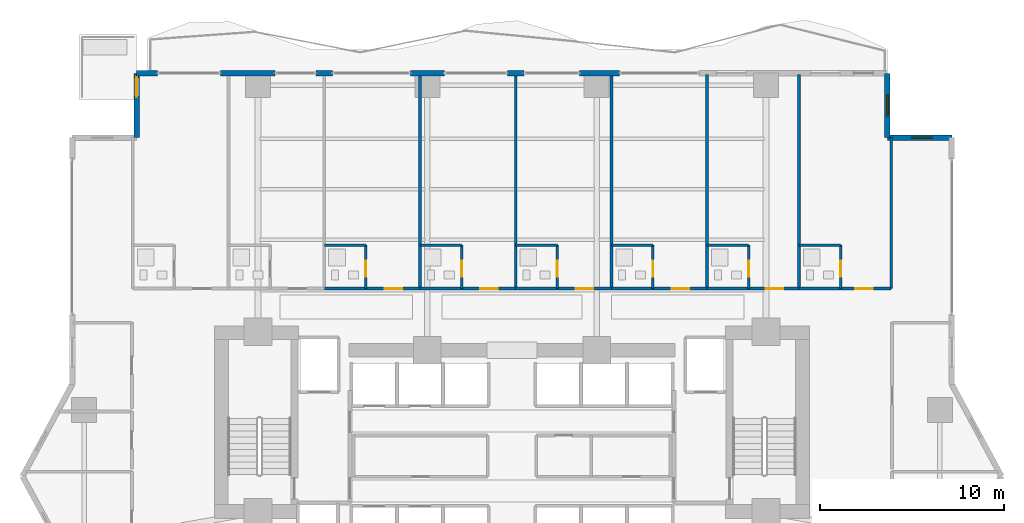
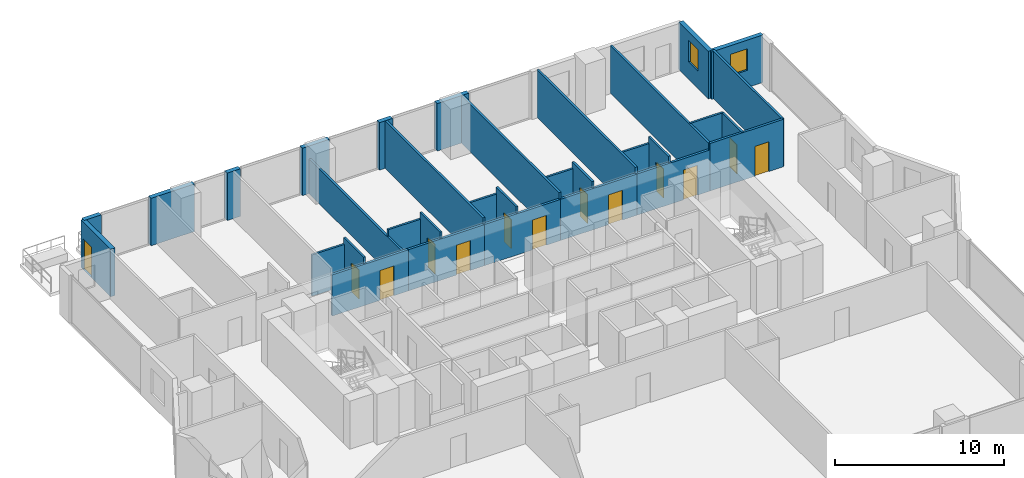
# One storey, part 24 of 29: 33 walls, 13 doors, 2 windows, 15 openings.
"""IFC4 building model written with IfcOpenShell, lengths in metres."""

import ifcopenshell
import ifcopenshell.guid

model = None  # the IFC model being written
_history = None  # IfcOwnerHistory: only IFC2X3 demands one
_inside = {}  # id of a spatial element -> (the spatial element, [elements in it])
_under = {}  # id of a project, library or spatial element -> (it, [spatial elements below it])
_declared = {}  # id of a project -> (the project, [libraries it declares])
_typed = {}  # id of a type object -> (the type object, [elements of that type])
_made_of = {}  # id of a material, layer set ... -> (it, [elements and type objects made of it])


def new_model(schema):
    """Start an empty IFC model of exactly this schema.

    Asked for "IFC4X3", IfcOpenShell would pick the latest addendum, in which some entities
    have other attributes; the version numbers below select the first issue.
    IFC2X3 requires an IfcOwnerHistory on every rooted entity: one is made here for all.
    """
    global model, _history
    if schema == "IFC4X3":
        model = ifcopenshell.file(schema_version=(4, 3, 0, 0))
    else:
        model = ifcopenshell.file(schema=schema)
    _inside.clear()
    _under.clear()
    _declared.clear()
    _typed.clear()
    _made_of.clear()
    _history = None
    if model.schema == "IFC2X3":
        org = make("IfcOrganization", Name="unknown")
        user = make(
            "IfcPersonAndOrganization",
            ThePerson=make("IfcPerson", FamilyName="unknown"),
            TheOrganization=org,
        )
        app = make(
            "IfcApplication",
            ApplicationDeveloper=org,
            Version="unknown",
            ApplicationFullName="unknown",
            ApplicationIdentifier="unknown",
        )
        _history = make(
            "IfcOwnerHistory",
            OwningUser=user,
            OwningApplication=app,
            ChangeAction="ADDED",
            CreationDate=0,
        )
    return model


def make(cls, **values):
    """One entity of the class cls with the attributes given. An attribute that is None is left unset."""
    return model.create_entity(
        cls, **{name: value for name, value in values.items() if value is not None}
    )


def rooted(cls, **values):
    """An entity with a GlobalId (a new one), such as an element, a storey or a relation."""
    return make(cls, GlobalId=ifcopenshell.guid.new(), OwnerHistory=_history, **values)


def si_unit(unit_type, name, prefix=None):
    """IfcSIUnit, for example si_unit("LENGTHUNIT", "METRE", prefix="MILLI")."""
    return make("IfcSIUnit", UnitType=unit_type, Prefix=prefix, Name=name)


def assignment(units):
    """IfcUnitAssignment: the units of a project."""
    return None if units is None else make("IfcUnitAssignment", Units=units)


def point(xyz):
    """IfcCartesianPoint."""
    return None if xyz is None else make("IfcCartesianPoint", Coordinates=xyz)


def direction(xyz):
    """IfcDirection."""
    return None if xyz is None else make("IfcDirection", DirectionRatios=xyz)


def frame(location, z_axis=None, x_axis=None):
    """IfcAxis2Placement3D, a coordinate frame: its origin and axes. An axis left out is left unset."""
    return make(
        "IfcAxis2Placement3D",
        Location=point(location),
        Axis=direction(z_axis),
        RefDirection=direction(x_axis),
    )


def frame_2d(location, x_axis=None):
    """IfcAxis2Placement2D, a coordinate frame in the plane: its origin and x axis."""
    return make(
        "IfcAxis2Placement2D", Location=point(location), RefDirection=direction(x_axis)
    )


def origin():
    """The frame at (0, 0, 0) with its axes left unset."""
    return frame((0.0, 0.0, 0.0))


def place(relative_to, where):
    """IfcLocalPlacement: puts the frame where relative to a parent placement (None: the world)."""
    return make(
        "IfcLocalPlacement", PlacementRelTo=relative_to, RelativePlacement=where
    )


def context(
    kind, dimensions, precision=None, world=None, true_north=None, identifier=None
):
    """IfcGeometricRepresentationContext, for example the 3D "Model" context."""
    return make(
        "IfcGeometricRepresentationContext",
        ContextIdentifier=identifier,
        ContextType=kind,
        CoordinateSpaceDimension=dimensions,
        Precision=precision,
        WorldCoordinateSystem=world,
        TrueNorth=true_north,
    )


def subcontext(parent, identifier, kind, view, scale=None):
    """IfcGeometricRepresentationSubContext, for example "Body" below "Model"."""
    return make(
        "IfcGeometricRepresentationSubContext",
        ContextIdentifier=identifier,
        ContextType=kind,
        ParentContext=parent,
        TargetScale=scale,
        TargetView=view,
    )


def project(units=None, contexts=None):
    """IfcProject with its units and contexts."""
    return rooted(
        "IfcProject",
        Name="project",
        RepresentationContexts=contexts,
        UnitsInContext=assignment(units),
    )


def spatial(cls, under=None, at=None, **own):
    """A site, building, storey or space (cls), placed at a placement, below another one or the project."""
    s = rooted(cls, ObjectPlacement=at, **own)
    if under is not None:
        _under.setdefault(under.id(), (under, []))[1].append(s)
    return s


def profile(cls, at=None, kind="AREA", **sizes):
    """A parametric profile (cls). Its sizes go by their IFC names, for example OverallWidth=200.0."""
    return make(cls, ProfileType=kind, Position=at, **sizes)


def rectangle(**sizes):
    """IfcRectangleProfileDef."""
    return profile("IfcRectangleProfileDef", **sizes)


def extrude(swept, where, along, depth):
    """IfcExtrudedAreaSolid: the profile swept, set in the frame where, extruded along a direction by depth."""
    return make(
        "IfcExtrudedAreaSolid",
        SweptArea=swept,
        Position=where,
        ExtrudedDirection=direction(along),
        Depth=depth,
    )


def shape(context_of_items, identifier, shape_type, items):
    """IfcShapeRepresentation: the items that make up one representation, for example the "Body"."""
    return make(
        "IfcShapeRepresentation",
        ContextOfItems=context_of_items,
        RepresentationIdentifier=identifier,
        RepresentationType=shape_type,
        Items=items,
    )


def material(Name=None, Category=None):
    """IfcMaterial."""
    return make("IfcMaterial", Name=Name, Category=Category)


def layer(
    of_material, thickness, ventilated=None, Name=None, Category=None, Priority=None
):
    """IfcMaterialLayer: one layer of a wall or slab, of a material (None: an air gap)."""
    return make(
        "IfcMaterialLayer",
        Material=of_material,
        LayerThickness=thickness,
        IsVentilated=ventilated,
        Name=Name,
        Category=Category,
        Priority=Priority,
    )


def layer_set(layers, Name=None):
    """IfcMaterialLayerSet."""
    return make("IfcMaterialLayerSet", MaterialLayers=layers, LayerSetName=Name)


def made_of(thing, what):
    """Note that an element or type object is made of a material, layer set ...; save() writes the relation."""
    if what is not None:
        _made_of.setdefault(what.id(), (what, []))[1].append(thing)
    return thing


def type_object(cls, material=None, **own):
    """A type object (cls), such as IfcWallType, which elements share."""
    return made_of(rooted(cls, **own), material)


def element(
    cls,
    number,
    at=None,
    inside=None,
    cuts=None,
    type_object=None,
    material=None,
    context=None,
    identifier="Body",
    shape_type=None,
    held_by="IfcProductDefinitionShape",
    body=None,
    shapes=None,
    **own,
):
    """One element of the class cls, such as IfcWall. Its Tag is "e" and its number.

    at: its placement. inside: the storey or other place that contains it. cuts: it is an
    opening in that element (IfcRelVoidsElement). A single representation is given by context,
    identifier, shape_type and body (its items); several are given by shapes. held_by: the class
    of the entity that holds the representations. save() writes the other relations.
    """
    e = rooted(cls, Tag="e%d" % number, ObjectPlacement=at, **own)
    if body is not None:
        shapes = [shape(context, identifier, shape_type, body)]
    if shapes is not None:
        e.Representation = make(held_by, Representations=shapes)
    if inside is not None:
        _inside.setdefault(inside.id(), (inside, []))[1].append(e)
    if cuts is not None:
        rooted(
            "IfcRelVoidsElement", RelatingBuildingElement=cuts, RelatedOpeningElement=e
        )
    if type_object is not None:
        _typed.setdefault(type_object.id(), (type_object, []))[1].append(e)
    return made_of(e, material)


def fill(opening, filler):
    """IfcRelFillsElement: the door or window that sits in an opening."""
    return rooted(
        "IfcRelFillsElement",
        RelatingOpeningElement=opening,
        RelatedBuildingElement=filler,
    )


def aggregate(whole, parts):
    """IfcRelAggregates: a whole, such as a stair, and the parts it consists of."""
    return rooted("IfcRelAggregates", RelatingObject=whole, RelatedObjects=parts)


def save(model, path):
    """Write the relations noted so far, then the file.

    IfcRelAggregates (storeys below a building ...), IfcRelContainedInSpatialStructure (elements
    in a storey), IfcRelDefinesByType, IfcRelAssociatesMaterial and IfcRelDeclares: one each for
    every whole, place, type object, material and project.
    """
    for whole, parts in _under.values():
        aggregate(whole, parts)
    for where, things in _inside.values():
        rooted(
            "IfcRelContainedInSpatialStructure",
            RelatedElements=things,
            RelatingStructure=where,
        )
    for kind, things in _typed.values():
        rooted("IfcRelDefinesByType", RelatedObjects=things, RelatingType=kind)
    for what, things in _made_of.values():
        rooted("IfcRelAssociatesMaterial", RelatedObjects=things, RelatingMaterial=what)
    for by, libraries in _declared.values():
        rooted("IfcRelDeclares", RelatingContext=by, RelatedDefinitions=libraries)
    model.write(path)


model = new_model("IFC4")

# Units and contexts
model_context = context("Model", 3, precision=1e-05, world=origin(), true_north=direction((0.0, 1.0)))
body_context = subcontext(model_context, "Body", "Model", "MODEL_VIEW")
ifc_project = project(units=[si_unit("LENGTHUNIT", "METRE"), si_unit("AREAUNIT", "SQUARE_METRE"), si_unit("VOLUMEUNIT", "CUBIC_METRE"), si_unit("PLANEANGLEUNIT", "RADIAN"), si_unit("MASSUNIT", "GRAM", prefix="KILO")], contexts=[model_context])

# Site, building, storey
site_placement = place(None, origin())
site = spatial("IfcSite", under=ifc_project, at=site_placement, CompositionType="ELEMENT")
building_placement = place(site_placement, origin())
building = spatial("IfcBuilding", under=site, at=building_placement, Name="Zuhayl Quay Hotel", CompositionType="ELEMENT")
storey_placement = place(building_placement, frame((0.0, 0.0, 106.60009765625)))
storey = spatial("IfcBuildingStorey", under=building, at=storey_placement, Name="L26", CompositionType="ELEMENT", Elevation=106.60009765625)

# Wall, opening, door
ifc_material_1 = material(Name="Precast concrete C45/55", Category="concrete")
ifc_layer_1 = layer(ifc_material_1, 0.300048828125, Name="Precast concrete C45/55", Category="concrete")
ifc_layer_set_1 = layer_set([ifc_layer_1], Name="Precast concrete C45/55")
wall_type_1 = type_object("IfcWallType", Name="WL_EXT_300", PredefinedType="STANDARD", material=ifc_layer_set_1)
wall_1_placement = place(storey_placement, frame((-20.39990234375, 24.89990234375, 0.0), z_axis=(0.0, 0.0, 1.0), x_axis=(0.0, 1.0, 0.0)))
wall_1 = element("IfcWall", 1, at=wall_1_placement, inside=storey, type_object=wall_type_1, Name="L26 Exterior Precast Wall ENV_L26_SP_NW", PredefinedType="STANDARD", context=body_context, shape_type="SweptSolid", body=[
    extrude(rectangle(XDim=3.5, YDim=0.300048828125, at=frame_2d((1.75, 0.0))), origin(), (0.0, 0.0, 1.0), 3.429931640625),
])
opening_1_placement = place(wall_1_placement, frame((2.22998046875, 0.0, 0.0)))
opening_1 = element("IfcOpeningElement", 2, at=opening_1_placement, cuts=wall_1, Name="Opening DG1", PredefinedType="OPENING", context=body_context, shape_type="SweptSolid", body=[
    extrude(rectangle(XDim=1.050048828125, YDim=2.199951171875, at=frame_2d((0.52490234375, 1.10009765625))), frame((0.0, 0.159912109375, 0.0), z_axis=(0.0, -1.0, 0.0), x_axis=(1.0, 0.0, 0.0)), (0.0, 0.0, 1.0), 0.320068359375),
])
ifc_material_2 = material(Name="Anodised Aluminium and Dark Solar Glass", Category="aluminium")
door_type_1 = type_object("IfcDoorType", Name="DR_EXT_TERR_1050", OperationType="NOTDEFINED", PredefinedType="DOOR", material=ifc_material_2)
door_1_placement = place(opening_1_placement, origin())
door_1 = element("IfcDoor", 3, at=door_1_placement, inside=storey, type_object=door_type_1, Name="L26 Spiral Sky-Terrace NW Access Door", OperationType="SINGLE_SWING_LEFT", OverallHeight=2.199951171875, OverallWidth=1.050048828125, PredefinedType="DOOR", context=body_context, shape_type="SweptSolid", body=[
    extrude(rectangle(XDim=1.050048828125, YDim=2.199951171875, at=frame_2d((0.52490234375, 1.10009765625))), frame((0.0, 0.02490234375, 0.0), z_axis=(0.0, -1.0, 0.0), x_axis=(1.0, 0.0, 0.0)), (0.0, 0.0, 1.0), 0.050048828125),
])
fill(opening_1, door_1)

# Walls
wall_2_placement = place(storey_placement, frame((-20.39990234375, 28.39990234375, 0.0), z_axis=(0.0, 0.0, 1.0), x_axis=(1.0, 0.0, 0.0)))
element("IfcWall", 4, at=wall_2_placement, inside=storey, type_object=wall_type_1, Name="L26 Exterior Precast Wall ENV_L26_N_EW1", PredefinedType="STANDARD", context=body_context, shape_type="SweptSolid", body=[
    extrude(rectangle(XDim=1.14990234375, YDim=0.300048828125, at=frame_2d((0.574951171875, 0.0))), origin(), (0.0, 0.0, 1.0), 3.429931640625),
])
wall_3_placement = place(storey_placement, frame((-15.85009765625, 28.39990234375, 0.0), z_axis=(0.0, 0.0, 1.0), x_axis=(1.0, 0.0, 0.0)))
element("IfcWall", 5, at=wall_3_placement, inside=storey, type_object=wall_type_1, Name="L26 Exterior Precast Wall ENV_L26_N_EW2", PredefinedType="STANDARD", context=body_context, shape_type="SweptSolid", body=[
    extrude(rectangle(XDim=2.97021484375, YDim=0.300048828125, at=frame_2d((1.485107421875, 0.0))), origin(), (0.0, 0.0, 1.0), 3.429931640625),
])
wall_4_placement = place(storey_placement, frame((-10.64990234375, 28.39990234375, 0.0), z_axis=(0.0, 0.0, 1.0), x_axis=(1.0, 0.0, 0.0)))
element("IfcWall", 6, at=wall_4_placement, inside=storey, type_object=wall_type_1, Name="L26 Exterior Precast Wall ENV_L26_N_EW3", PredefinedType="STANDARD", context=body_context, shape_type="SweptSolid", body=[
    extrude(rectangle(XDim=0.89990234375, YDim=0.300048828125, at=frame_2d((0.449951171875, 0.0))), origin(), (0.0, 0.0, 1.0), 3.429931640625),
])
wall_5_placement = place(storey_placement, frame((-5.52001953125, 28.39990234375, 0.0), z_axis=(0.0, 0.0, 1.0), x_axis=(1.0, 0.0, 0.0)))
element("IfcWall", 7, at=wall_5_placement, inside=storey, type_object=wall_type_1, Name="L26 Exterior Precast Wall ENV_L26_N_EW4", PredefinedType="STANDARD", context=body_context, shape_type="SweptSolid", body=[
    extrude(rectangle(XDim=1.840087890625, YDim=0.300048828125, at=frame_2d((0.919921875, 0.0))), origin(), (0.0, 0.0, 1.0), 3.429931640625),
])
wall_6_placement = place(storey_placement, frame((-0.25, 28.39990234375, 0.0), z_axis=(0.0, 0.0, 1.0), x_axis=(1.0, 0.0, 0.0)))
element("IfcWall", 8, at=wall_6_placement, inside=storey, type_object=wall_type_1, Name="L26 Exterior Precast Wall ENV_L26_N_EW5", PredefinedType="STANDARD", context=body_context, shape_type="SweptSolid", body=[
    extrude(rectangle(XDim=0.89990234375, YDim=0.300048828125, at=frame_2d((0.449951171875, 0.0))), origin(), (0.0, 0.0, 1.0), 3.429931640625),
])
wall_7_placement = place(storey_placement, frame((3.679931640625, 28.39990234375, 0.0), z_axis=(0.0, 0.0, 1.0), x_axis=(1.0, 0.0, 0.0)))
element("IfcWall", 9, at=wall_7_placement, inside=storey, type_object=wall_type_1, Name="L26 Exterior Precast Wall ENV_L26_N_EW6", PredefinedType="STANDARD", context=body_context, shape_type="SweptSolid", body=[
    extrude(rectangle(XDim=2.170166015625, YDim=0.300048828125, at=frame_2d((1.0849609375, 0.0))), origin(), (0.0, 0.0, 1.0), 3.429931640625),
])

# Wall, opening, window
wall_8_placement = place(storey_placement, frame((20.39990234375, 28.39990234375, 0.0), z_axis=(0.0, 0.0, 1.0), x_axis=(0.0, -1.0, 0.0)))
wall_8 = element("IfcWall", 10, at=wall_8_placement, inside=storey, type_object=wall_type_1, Name="L26 Exterior Precast Wall ENV_L26_EW09", PredefinedType="STANDARD", context=body_context, shape_type="SweptSolid", body=[
    extrude(rectangle(XDim=3.5, YDim=0.300048828125, at=frame_2d((1.75, 0.0))), origin(), (0.0, 0.0, 1.0), 3.429931640625),
])
opening_2_placement = place(wall_8_placement, frame((1.1650390625, 0.0, 1.25)))
opening_2 = element("IfcOpeningElement", 11, at=opening_2_placement, cuts=wall_8, Name="Opening W01N", PredefinedType="OPENING", context=body_context, shape_type="SweptSolid", body=[
    extrude(rectangle(XDim=1.14990234375, YDim=1.550048828125, at=frame_2d((0.574951171875, 0.77490234375))), frame((0.0, 0.159912109375, 0.0), z_axis=(0.0, -1.0, 0.0), x_axis=(1.0, 0.0, 0.0)), (0.0, 0.0, 1.0), 0.320068359375),
])
ifc_material_3 = material(Name="Dark Ceramic-Fritted Solar Glass", Category="glass")
window_type = type_object("IfcWindowType", Name="WN_NOTCH_1350", PartitioningType="SINGLE_PANEL", PredefinedType="WINDOW", material=ifc_material_3)
window_1_placement = place(opening_2_placement, origin())
window_1 = element("IfcWindow", 12, at=window_1_placement, inside=storey, type_object=window_type, Name="L26 Corner Notch Window 9", OverallHeight=1.550048828125, OverallWidth=1.14990234375, PartitioningType="SINGLE_PANEL", PredefinedType="WINDOW", context=body_context, shape_type="SweptSolid", body=[
    extrude(rectangle(XDim=1.14990234375, YDim=1.550048828125, at=frame_2d((0.574951171875, 0.77490234375))), frame((0.0, 0.030029296875, 0.0), z_axis=(0.0, -1.0, 0.0), x_axis=(1.0, 0.0, 0.0)), (0.0, 0.0, 1.0), 0.06005859375),
])
fill(opening_2, window_1)

wall_9_placement = place(storey_placement, frame((20.39990234375, 24.89990234375, 0.0), z_axis=(0.0, 0.0, 1.0), x_axis=(1.0, 0.0, 0.0)))
wall_9 = element("IfcWall", 13, at=wall_9_placement, inside=storey, type_object=wall_type_1, Name="L26 Exterior Precast Wall ENV_L26_EW10", PredefinedType="STANDARD", context=body_context, shape_type="SweptSolid", body=[
    extrude(rectangle(XDim=3.5, YDim=0.300048828125, at=frame_2d((1.75, 0.0))), origin(), (0.0, 0.0, 1.0), 3.429931640625),
])
opening_3_placement = place(wall_9_placement, frame((1.284912109375, 0.0, 1.25)))
opening_3 = element("IfcOpeningElement", 14, at=opening_3_placement, cuts=wall_9, Name="Opening W01N", PredefinedType="OPENING", context=body_context, shape_type="SweptSolid", body=[
    extrude(rectangle(XDim=1.14990234375, YDim=1.550048828125, at=frame_2d((0.574951171875, 0.77490234375))), frame((0.0, 0.159912109375, 0.0), z_axis=(0.0, -1.0, 0.0), x_axis=(1.0, 0.0, 0.0)), (0.0, 0.0, 1.0), 0.320068359375),
])
window_2_placement = place(opening_3_placement, origin())
window_2 = element("IfcWindow", 15, at=window_2_placement, inside=storey, type_object=window_type, Name="L26 Corner Notch Window 10", OverallHeight=1.550048828125, OverallWidth=1.14990234375, PartitioningType="SINGLE_PANEL", PredefinedType="WINDOW", context=body_context, shape_type="SweptSolid", body=[
    extrude(rectangle(XDim=1.14990234375, YDim=1.550048828125, at=frame_2d((0.574951171875, 0.77490234375))), frame((0.0, 0.030029296875, 0.0), z_axis=(0.0, -1.0, 0.0), x_axis=(1.0, 0.0, 0.0)), (0.0, 0.0, 1.0), 0.06005859375),
])
fill(opening_3, window_2)

# Walls
ifc_material_4 = material(Name="Acoustic Gypsum Partition STC-58")
ifc_layer_2 = layer(ifc_material_4, 0.14990234375, Name="Acoustic Gypsum Partition STC-58")
ifc_layer_set_2 = layer_set([ifc_layer_2], Name="Acoustic Gypsum Partition STC-58")
wall_type_2 = type_object("IfcWallType", Name="WL_PART_150", PredefinedType="PARTITIONING", material=ifc_layer_set_2)
wall_10_placement = place(storey_placement, frame((-5.0, 16.699951171875, 0.0), z_axis=(0.0, 0.0, 1.0), x_axis=(0.0, 1.0, 0.0)))
element("IfcWall", 16, at=wall_10_placement, inside=storey, type_object=wall_type_2, Name="L26 Partition IW_L26_NU03_E", PredefinedType="PARTITIONING", context=body_context, shape_type="SweptSolid", body=[
    extrude(rectangle(XDim=11.6201171875, YDim=0.14990234375, at=frame_2d((5.81005859375, 0.0))), origin(), (0.0, 0.0, 1.0), 2.5029296875),
])
for number, where, z_axis, x_axis, name in (
    (17, (0.199951171875, 16.699951171875, 0.0), (0.0, 0.0, 1.0), (0.0, 1.0, 0.0), "L26 Partition IW_L26_NU04_E"),
    (18, (5.39990234375, 16.699951171875, 0.0), (0.0, 0.0, 1.0), (0.0, 1.0, 0.0), "L26 Partition IW_L26_NU05_E"),
    (19, (10.60009765625, 16.699951171875, 0.0), (0.0, 0.0, 1.0), (0.0, 1.0, 0.0), "L26 Partition IW_L26_NU06_E"),
    (20, (15.60009765625, 16.699951171875, 0.0), (0.0, 0.0, 1.0), (0.0, 1.0, 0.0), "L26 Partition IW_L26_NU07_E"),
):
    element("IfcWall", number, at=place(storey_placement, frame(where, z_axis=z_axis, x_axis=x_axis)), inside=storey, type_object=wall_type_2, Name=name, PredefinedType="PARTITIONING", context=body_context, shape_type="SweptSolid", body=[
        extrude(rectangle(XDim=11.6201171875, YDim=0.14990234375, at=frame_2d((5.81005859375, 0.0))), origin(), (0.0, 0.0, 1.0), 3.429931640625),
    ])
wall_11_placement = place(storey_placement, frame((20.60009765625, 16.699951171875, 0.0), z_axis=(0.0, 0.0, 1.0), x_axis=(0.0, 1.0, 0.0)))
element("IfcWall", 21, at=wall_11_placement, inside=storey, type_object=wall_type_2, Name="L26 Partition IW_L26_NU08_E", PredefinedType="PARTITIONING", context=body_context, shape_type="SweptSolid", body=[
    extrude(rectangle(XDim=8.199951171875, YDim=0.14990234375, at=frame_2d((4.10009765625, 0.0))), origin(), (0.0, 0.0, 1.0), 3.429931640625),
])

# Wall, opening, door
ifc_layer_3 = layer(ifc_material_4, 0.159912109375, Name="Acoustic Gypsum Partition STC-58")
ifc_layer_set_3 = layer_set([ifc_layer_3], Name="Acoustic Gypsum Partition STC-58")
wall_type_3 = type_object("IfcWallType", Name="WL_PART_CORR_160", PredefinedType="PARTITIONING", material=ifc_layer_set_3)
wall_12_placement = place(storey_placement, frame((-10.199951171875, 16.699951171875, 0.0), z_axis=(0.0, 0.0, 1.0), x_axis=(1.0, 0.0, 0.0)))
wall_12 = element("IfcWall", 22, at=wall_12_placement, inside=storey, type_object=wall_type_3, Name="L26 Partition IW_L26_NU03_COR", PredefinedType="PARTITIONING", context=body_context, shape_type="SweptSolid", body=[
    extrude(rectangle(XDim=5.199951171875, YDim=0.159912109375, at=frame_2d((2.60009765625, 0.0))), origin(), (0.0, 0.0, 1.0), 2.972900390625),
])
opening_4_placement = place(wall_12_placement, frame((3.27490234375, 0.0, 0.0)))
opening_4 = element("IfcOpeningElement", 23, at=opening_4_placement, cuts=wall_12, Name="Opening D03", PredefinedType="OPENING", context=body_context, shape_type="SweptSolid", body=[
    extrude(rectangle(XDim=0.949951171875, YDim=2.14990234375, at=frame_2d((0.47509765625, 1.074951171875))), frame((0.0, 0.08984375, 0.0), z_axis=(0.0, -1.0, 0.0), x_axis=(1.0, 0.0, 0.0)), (0.0, 0.0, 1.0), 0.179931640625),
])
ifc_material_5 = material(Name="Solid Walnut Acoustic Fire Door")
door_type_2 = type_object("IfcDoorType", Name="DR_SUITE_950", OperationType="NOTDEFINED", PredefinedType="DOOR", material=ifc_material_5)
door_2_placement = place(opening_4_placement, origin())
door_2 = element("IfcDoor", 24, at=door_2_placement, inside=storey, type_object=door_type_2, Name="L26 Deluxe Gulf Guest Room L26-03 Entrance Door", OperationType="SINGLE_SWING_LEFT", OverallHeight=2.14990234375, OverallWidth=0.949951171875, PredefinedType="DOOR", context=body_context, shape_type="SweptSolid", body=[
    extrude(rectangle(XDim=0.949951171875, YDim=2.14990234375, at=frame_2d((0.47509765625, 1.074951171875))), frame((0.0, 0.02490234375, 0.0), z_axis=(0.0, -1.0, 0.0), x_axis=(1.0, 0.0, 0.0)), (0.0, 0.0, 1.0), 0.050048828125),
])
fill(opening_4, door_2)

wall_13_placement = place(storey_placement, frame((-5.0, 16.699951171875, 0.0), z_axis=(0.0, 0.0, 1.0), x_axis=(1.0, 0.0, 0.0)))
wall_13 = element("IfcWall", 25, at=wall_13_placement, inside=storey, type_object=wall_type_3, Name="L26 Partition IW_L26_NU04_COR", PredefinedType="PARTITIONING", context=body_context, shape_type="SweptSolid", body=[
    extrude(rectangle(XDim=5.199951171875, YDim=0.159912109375, at=frame_2d((2.60009765625, 0.0))), origin(), (0.0, 0.0, 1.0), 2.972900390625),
])
opening_5_placement = place(wall_13_placement, frame((3.27490234375, 0.0, 0.0)))
opening_5 = element("IfcOpeningElement", 26, at=opening_5_placement, cuts=wall_13, Name="Opening D03", PredefinedType="OPENING", context=body_context, shape_type="SweptSolid", body=[
    extrude(rectangle(XDim=0.949951171875, YDim=2.14990234375, at=frame_2d((0.47509765625, 1.074951171875))), frame((0.0, 0.08984375, 0.0), z_axis=(0.0, -1.0, 0.0), x_axis=(1.0, 0.0, 0.0)), (0.0, 0.0, 1.0), 0.179931640625),
])
door_3_placement = place(opening_5_placement, origin())
door_3 = element("IfcDoor", 27, at=door_3_placement, inside=storey, type_object=door_type_2, Name="L26 Deluxe Gulf Guest Room L26-04 Entrance Door", OperationType="SINGLE_SWING_LEFT", OverallHeight=2.14990234375, OverallWidth=0.949951171875, PredefinedType="DOOR", context=body_context, shape_type="SweptSolid", body=[
    extrude(rectangle(XDim=0.949951171875, YDim=2.14990234375, at=frame_2d((0.47509765625, 1.074951171875))), frame((0.0, 0.02490234375, 0.0), z_axis=(0.0, -1.0, 0.0), x_axis=(1.0, 0.0, 0.0)), (0.0, 0.0, 1.0), 0.050048828125),
])
fill(opening_5, door_3)

wall_14_placement = place(storey_placement, frame((0.199951171875, 16.699951171875, 0.0), z_axis=(0.0, 0.0, 1.0), x_axis=(1.0, 0.0, 0.0)))
wall_14 = element("IfcWall", 28, at=wall_14_placement, inside=storey, type_object=wall_type_3, Name="L26 Partition IW_L26_NU05_COR", PredefinedType="PARTITIONING", context=body_context, shape_type="SweptSolid", body=[
    extrude(rectangle(XDim=5.199951171875, YDim=0.159912109375, at=frame_2d((2.60009765625, 0.0))), origin(), (0.0, 0.0, 1.0), 2.972900390625),
])
opening_6_placement = place(wall_14_placement, frame((3.27490234375, 0.0, 0.0)))
opening_6 = element("IfcOpeningElement", 29, at=opening_6_placement, cuts=wall_14, Name="Opening D03", PredefinedType="OPENING", context=body_context, shape_type="SweptSolid", body=[
    extrude(rectangle(XDim=0.949951171875, YDim=2.14990234375, at=frame_2d((0.47509765625, 1.074951171875))), frame((0.0, 0.08984375, 0.0), z_axis=(0.0, -1.0, 0.0), x_axis=(1.0, 0.0, 0.0)), (0.0, 0.0, 1.0), 0.179931640625),
])
door_4_placement = place(opening_6_placement, origin())
door_4 = element("IfcDoor", 30, at=door_4_placement, inside=storey, type_object=door_type_2, Name="L26 Deluxe Gulf Guest Room L26-05 Entrance Door", OperationType="SINGLE_SWING_LEFT", OverallHeight=2.14990234375, OverallWidth=0.949951171875, PredefinedType="DOOR", context=body_context, shape_type="SweptSolid", body=[
    extrude(rectangle(XDim=0.949951171875, YDim=2.14990234375, at=frame_2d((0.47509765625, 1.074951171875))), frame((0.0, 0.02490234375, 0.0), z_axis=(0.0, -1.0, 0.0), x_axis=(1.0, 0.0, 0.0)), (0.0, 0.0, 1.0), 0.050048828125),
])
fill(opening_6, door_4)

wall_15_placement = place(storey_placement, frame((5.39990234375, 16.699951171875, 0.0), z_axis=(0.0, 0.0, 1.0), x_axis=(1.0, 0.0, 0.0)))
wall_15 = element("IfcWall", 31, at=wall_15_placement, inside=storey, type_object=wall_type_3, Name="L26 Partition IW_L26_NU06_COR", PredefinedType="PARTITIONING", context=body_context, shape_type="SweptSolid", body=[
    extrude(rectangle(XDim=5.2001953125, YDim=0.159912109375, at=frame_2d((2.60009765625, 0.0))), origin(), (0.0, 0.0, 1.0), 2.972900390625),
])
opening_7_placement = place(wall_15_placement, frame((3.27490234375, 0.0, 0.0)))
opening_7 = element("IfcOpeningElement", 32, at=opening_7_placement, cuts=wall_15, Name="Opening D03", PredefinedType="OPENING", context=body_context, shape_type="SweptSolid", body=[
    extrude(rectangle(XDim=0.949951171875, YDim=2.14990234375, at=frame_2d((0.47509765625, 1.074951171875))), frame((0.0, 0.08984375, 0.0), z_axis=(0.0, -1.0, 0.0), x_axis=(1.0, 0.0, 0.0)), (0.0, 0.0, 1.0), 0.179931640625),
])
door_5_placement = place(opening_7_placement, origin())
door_5 = element("IfcDoor", 33, at=door_5_placement, inside=storey, type_object=door_type_2, Name="L26 Deluxe Gulf Guest Room L26-06 Entrance Door", OperationType="SINGLE_SWING_LEFT", OverallHeight=2.14990234375, OverallWidth=0.949951171875, PredefinedType="DOOR", context=body_context, shape_type="SweptSolid", body=[
    extrude(rectangle(XDim=0.949951171875, YDim=2.14990234375, at=frame_2d((0.47509765625, 1.074951171875))), frame((0.0, 0.02490234375, 0.0), z_axis=(0.0, -1.0, 0.0), x_axis=(1.0, 0.0, 0.0)), (0.0, 0.0, 1.0), 0.050048828125),
])
fill(opening_7, door_5)

wall_16_placement = place(storey_placement, frame((10.60009765625, 16.699951171875, 0.0), z_axis=(0.0, 0.0, 1.0), x_axis=(1.0, 0.0, 0.0)))
wall_16 = element("IfcWall", 34, at=wall_16_placement, inside=storey, type_object=wall_type_3, Name="L26 Partition IW_L26_NU07_COR", PredefinedType="PARTITIONING", context=body_context, shape_type="SweptSolid", body=[
    extrude(rectangle(XDim=5.0, YDim=0.159912109375, at=frame_2d((2.5, 0.0))), origin(), (0.0, 0.0, 1.0), 2.972900390625),
])
opening_8_placement = place(wall_16_placement, frame((3.175048828125, 0.0, 0.0)))
opening_8 = element("IfcOpeningElement", 35, at=opening_8_placement, cuts=wall_16, Name="Opening D03", PredefinedType="OPENING", context=body_context, shape_type="SweptSolid", body=[
    extrude(rectangle(XDim=0.949951171875, YDim=2.14990234375, at=frame_2d((0.47509765625, 1.074951171875))), frame((0.0, 0.08984375, 0.0), z_axis=(0.0, -1.0, 0.0), x_axis=(1.0, 0.0, 0.0)), (0.0, 0.0, 1.0), 0.179931640625),
])
door_6_placement = place(opening_8_placement, origin())
door_6 = element("IfcDoor", 36, at=door_6_placement, inside=storey, type_object=door_type_2, Name="L26 Deluxe Gulf Guest Room L26-07 Entrance Door", OperationType="SINGLE_SWING_LEFT", OverallHeight=2.14990234375, OverallWidth=0.949951171875, PredefinedType="DOOR", context=body_context, shape_type="SweptSolid", body=[
    extrude(rectangle(XDim=0.949951171875, YDim=2.14990234375, at=frame_2d((0.47509765625, 1.074951171875))), frame((0.0, 0.02490234375, 0.0), z_axis=(0.0, -1.0, 0.0), x_axis=(1.0, 0.0, 0.0)), (0.0, 0.0, 1.0), 0.050048828125),
])
fill(opening_8, door_6)

wall_17_placement = place(storey_placement, frame((15.60009765625, 16.699951171875, 0.0), z_axis=(0.0, 0.0, 1.0), x_axis=(1.0, 0.0, 0.0)))
wall_17 = element("IfcWall", 37, at=wall_17_placement, inside=storey, type_object=wall_type_3, Name="L26 Partition IW_L26_NU08_COR", PredefinedType="PARTITIONING", context=body_context, shape_type="SweptSolid", body=[
    extrude(rectangle(XDim=5.0, YDim=0.159912109375, at=frame_2d((2.5, 0.0))), origin(), (0.0, 0.0, 1.0), 3.429931640625),
])
opening_9_placement = place(wall_17_placement, frame((3.050048828125, 0.0, 0.0)))
opening_9 = element("IfcOpeningElement", 38, at=opening_9_placement, cuts=wall_17, Name="Opening D03", PredefinedType="OPENING", context=body_context, shape_type="SweptSolid", body=[
    extrude(rectangle(XDim=0.949951171875, YDim=2.14990234375, at=frame_2d((0.47509765625, 1.074951171875))), frame((0.0, 0.08984375, 0.0), z_axis=(0.0, -1.0, 0.0), x_axis=(1.0, 0.0, 0.0)), (0.0, 0.0, 1.0), 0.179931640625),
])
door_7_placement = place(opening_9_placement, origin())
door_7 = element("IfcDoor", 39, at=door_7_placement, inside=storey, type_object=door_type_2, Name="L26 Deluxe Gulf Guest Room L26-08 Entrance Door", OperationType="SINGLE_SWING_LEFT", OverallHeight=2.14990234375, OverallWidth=0.949951171875, PredefinedType="DOOR", context=body_context, shape_type="SweptSolid", body=[
    extrude(rectangle(XDim=0.949951171875, YDim=2.14990234375, at=frame_2d((0.47509765625, 1.074951171875))), frame((0.0, 0.02490234375, 0.0), z_axis=(0.0, -1.0, 0.0), x_axis=(1.0, 0.0, 0.0)), (0.0, 0.0, 1.0), 0.050048828125),
])
fill(opening_9, door_7)

ifc_material_6 = material(Name="Moisture-Resistant Sanitarychase Gypsum")
ifc_layer_4 = layer(ifc_material_6, 0.135009765625, Name="Moisture-Resistant Sanitarychase Gypsum")
ifc_layer_set_4 = layer_set([ifc_layer_4], Name="Moisture-Resistant Sanitarychase Gypsum")
wall_type_4 = type_object("IfcWallType", Name="WL_PART_PLUMB_150", PredefinedType="PLUMBINGWALL", material=ifc_layer_set_4)
wall_18_placement = place(storey_placement, frame((-7.93994140625, 16.699951171875, 0.0), z_axis=(0.0, 0.0, 1.0), x_axis=(0.0, 1.0, 0.0)))
wall_18 = element("IfcWall", 40, at=wall_18_placement, inside=storey, type_object=wall_type_4, Name="L26 Partition IW_L26_NU03_BE", PredefinedType="PLUMBINGWALL", context=body_context, shape_type="SweptSolid", body=[
    extrude(rectangle(XDim=2.360107421875, YDim=0.135009765625, at=frame_2d((1.18017578125, 0.0))), origin(), (0.0, 0.0, 1.0), 3.429931640625),
])
opening_10_placement = place(wall_18_placement, frame((0.64990234375, 0.0, 0.0)))
opening_10 = element("IfcOpeningElement", 41, at=opening_10_placement, cuts=wall_18, Name="Opening D04", PredefinedType="OPENING", context=body_context, shape_type="SweptSolid", body=[
    extrude(rectangle(XDim=0.85009765625, YDim=2.10009765625, at=frame_2d((0.425048828125, 1.050048828125))), frame((0.0, 0.077392578125, 0.0), z_axis=(0.0, -1.0, 0.0), x_axis=(1.0, 0.0, 0.0)), (0.0, 0.0, 1.0), 0.155029296875),
])
ifc_material_7 = material(Name="Moisture-Resistant Walnut Veneer")
door_type_3 = type_object("IfcDoorType", Name="DR_BATH_850", OperationType="NOTDEFINED", PredefinedType="DOOR", material=ifc_material_7)
door_8_placement = place(opening_10_placement, origin())
door_8 = element("IfcDoor", 42, at=door_8_placement, inside=storey, type_object=door_type_3, Name="L26 Deluxe Gulf Guest Room L26-03 En-Suite Door", OperationType="SINGLE_SWING_RIGHT", OverallHeight=2.10009765625, OverallWidth=0.85009765625, PredefinedType="DOOR", context=body_context, shape_type="SweptSolid", body=[
    extrude(rectangle(XDim=0.85009765625, YDim=2.10009765625, at=frame_2d((0.425048828125, 1.050048828125))), frame((0.0, 0.02490234375, 0.0), z_axis=(0.0, -1.0, 0.0), x_axis=(1.0, 0.0, 0.0)), (0.0, 0.0, 1.0), 0.050048828125),
])
fill(opening_10, door_8)

wall_19_placement = place(storey_placement, frame((-2.739990234375, 16.699951171875, 0.0), z_axis=(0.0, 0.0, 1.0), x_axis=(0.0, 1.0, 0.0)))
wall_19 = element("IfcWall", 43, at=wall_19_placement, inside=storey, type_object=wall_type_4, Name="L26 Partition IW_L26_NU04_BE", PredefinedType="PLUMBINGWALL", context=body_context, shape_type="SweptSolid", body=[
    extrude(rectangle(XDim=2.360107421875, YDim=0.135009765625, at=frame_2d((1.18017578125, 0.0))), origin(), (0.0, 0.0, 1.0), 3.429931640625),
])
opening_11_placement = place(wall_19_placement, frame((0.64990234375, 0.0, 0.0)))
opening_11 = element("IfcOpeningElement", 44, at=opening_11_placement, cuts=wall_19, Name="Opening D04", PredefinedType="OPENING", context=body_context, shape_type="SweptSolid", body=[
    extrude(rectangle(XDim=0.85009765625, YDim=2.10009765625, at=frame_2d((0.425048828125, 1.050048828125))), frame((0.0, 0.077392578125, 0.0), z_axis=(0.0, -1.0, 0.0), x_axis=(1.0, 0.0, 0.0)), (0.0, 0.0, 1.0), 0.155029296875),
])
door_9_placement = place(opening_11_placement, origin())
door_9 = element("IfcDoor", 45, at=door_9_placement, inside=storey, type_object=door_type_3, Name="L26 Deluxe Gulf Guest Room L26-04 En-Suite Door", OperationType="SINGLE_SWING_RIGHT", OverallHeight=2.10009765625, OverallWidth=0.85009765625, PredefinedType="DOOR", context=body_context, shape_type="SweptSolid", body=[
    extrude(rectangle(XDim=0.85009765625, YDim=2.10009765625, at=frame_2d((0.425048828125, 1.050048828125))), frame((0.0, 0.02490234375, 0.0), z_axis=(0.0, -1.0, 0.0), x_axis=(1.0, 0.0, 0.0)), (0.0, 0.0, 1.0), 0.050048828125),
])
fill(opening_11, door_9)

wall_20_placement = place(storey_placement, frame((2.4599609375, 16.699951171875, 0.0), z_axis=(0.0, 0.0, 1.0), x_axis=(0.0, 1.0, 0.0)))
wall_20 = element("IfcWall", 46, at=wall_20_placement, inside=storey, type_object=wall_type_4, Name="L26 Partition IW_L26_NU05_BE", PredefinedType="PLUMBINGWALL", context=body_context, shape_type="SweptSolid", body=[
    extrude(rectangle(XDim=2.360107421875, YDim=0.135009765625, at=frame_2d((1.18017578125, 0.0))), origin(), (0.0, 0.0, 1.0), 3.429931640625),
])
opening_12_placement = place(wall_20_placement, frame((0.64990234375, 0.0, 0.0)))
opening_12 = element("IfcOpeningElement", 47, at=opening_12_placement, cuts=wall_20, Name="Opening D04", PredefinedType="OPENING", context=body_context, shape_type="SweptSolid", body=[
    extrude(rectangle(XDim=0.85009765625, YDim=2.10009765625, at=frame_2d((0.425048828125, 1.050048828125))), frame((0.0, 0.077392578125, 0.0), z_axis=(0.0, -1.0, 0.0), x_axis=(1.0, 0.0, 0.0)), (0.0, 0.0, 1.0), 0.155029296875),
])
door_10_placement = place(opening_12_placement, origin())
door_10 = element("IfcDoor", 48, at=door_10_placement, inside=storey, type_object=door_type_3, Name="L26 Deluxe Gulf Guest Room L26-05 En-Suite Door", OperationType="SINGLE_SWING_RIGHT", OverallHeight=2.10009765625, OverallWidth=0.85009765625, PredefinedType="DOOR", context=body_context, shape_type="SweptSolid", body=[
    extrude(rectangle(XDim=0.85009765625, YDim=2.10009765625, at=frame_2d((0.425048828125, 1.050048828125))), frame((0.0, 0.02490234375, 0.0), z_axis=(0.0, -1.0, 0.0), x_axis=(1.0, 0.0, 0.0)), (0.0, 0.0, 1.0), 0.050048828125),
])
fill(opening_12, door_10)

wall_21_placement = place(storey_placement, frame((7.659912109375, 16.699951171875, 0.0), z_axis=(0.0, 0.0, 1.0), x_axis=(0.0, 1.0, 0.0)))
wall_21 = element("IfcWall", 49, at=wall_21_placement, inside=storey, type_object=wall_type_4, Name="L26 Partition IW_L26_NU06_BE", PredefinedType="PLUMBINGWALL", context=body_context, shape_type="SweptSolid", body=[
    extrude(rectangle(XDim=2.360107421875, YDim=0.135009765625, at=frame_2d((1.18017578125, 0.0))), origin(), (0.0, 0.0, 1.0), 3.429931640625),
])
opening_13_placement = place(wall_21_placement, frame((0.64990234375, 0.0, 0.0)))
opening_13 = element("IfcOpeningElement", 50, at=opening_13_placement, cuts=wall_21, Name="Opening D04", PredefinedType="OPENING", context=body_context, shape_type="SweptSolid", body=[
    extrude(rectangle(XDim=0.85009765625, YDim=2.10009765625, at=frame_2d((0.425048828125, 1.050048828125))), frame((0.0, 0.077392578125, 0.0), z_axis=(0.0, -1.0, 0.0), x_axis=(1.0, 0.0, 0.0)), (0.0, 0.0, 1.0), 0.155029296875),
])
door_11_placement = place(opening_13_placement, origin())
door_11 = element("IfcDoor", 51, at=door_11_placement, inside=storey, type_object=door_type_3, Name="L26 Deluxe Gulf Guest Room L26-06 En-Suite Door", OperationType="SINGLE_SWING_RIGHT", OverallHeight=2.10009765625, OverallWidth=0.85009765625, PredefinedType="DOOR", context=body_context, shape_type="SweptSolid", body=[
    extrude(rectangle(XDim=0.85009765625, YDim=2.10009765625, at=frame_2d((0.425048828125, 1.050048828125))), frame((0.0, 0.02490234375, 0.0), z_axis=(0.0, -1.0, 0.0), x_axis=(1.0, 0.0, 0.0)), (0.0, 0.0, 1.0), 0.050048828125),
])
fill(opening_13, door_11)

wall_22_placement = place(storey_placement, frame((12.860107421875, 16.699951171875, 0.0), z_axis=(0.0, 0.0, 1.0), x_axis=(0.0, 1.0, 0.0)))
wall_22 = element("IfcWall", 52, at=wall_22_placement, inside=storey, type_object=wall_type_4, Name="L26 Partition IW_L26_NU07_BE", PredefinedType="PLUMBINGWALL", context=body_context, shape_type="SweptSolid", body=[
    extrude(rectangle(XDim=2.360107421875, YDim=0.135009765625, at=frame_2d((1.18017578125, 0.0))), origin(), (0.0, 0.0, 1.0), 3.429931640625),
])
opening_14_placement = place(wall_22_placement, frame((0.64990234375, 0.0, 0.0)))
opening_14 = element("IfcOpeningElement", 53, at=opening_14_placement, cuts=wall_22, Name="Opening D04", PredefinedType="OPENING", context=body_context, shape_type="SweptSolid", body=[
    extrude(rectangle(XDim=0.85009765625, YDim=2.10009765625, at=frame_2d((0.425048828125, 1.050048828125))), frame((0.0, 0.077392578125, 0.0), z_axis=(0.0, -1.0, 0.0), x_axis=(1.0, 0.0, 0.0)), (0.0, 0.0, 1.0), 0.155029296875),
])
door_12_placement = place(opening_14_placement, origin())
door_12 = element("IfcDoor", 54, at=door_12_placement, inside=storey, type_object=door_type_3, Name="L26 Deluxe Gulf Guest Room L26-07 En-Suite Door", OperationType="SINGLE_SWING_RIGHT", OverallHeight=2.10009765625, OverallWidth=0.85009765625, PredefinedType="DOOR", context=body_context, shape_type="SweptSolid", body=[
    extrude(rectangle(XDim=0.85009765625, YDim=2.10009765625, at=frame_2d((0.425048828125, 1.050048828125))), frame((0.0, 0.02490234375, 0.0), z_axis=(0.0, -1.0, 0.0), x_axis=(1.0, 0.0, 0.0)), (0.0, 0.0, 1.0), 0.050048828125),
])
fill(opening_14, door_12)

wall_23_placement = place(storey_placement, frame((17.860107421875, 16.699951171875, 0.0), z_axis=(0.0, 0.0, 1.0), x_axis=(0.0, 1.0, 0.0)))
wall_23 = element("IfcWall", 55, at=wall_23_placement, inside=storey, type_object=wall_type_4, Name="L26 Partition IW_L26_NU08_BE", PredefinedType="PLUMBINGWALL", context=body_context, shape_type="SweptSolid", body=[
    extrude(rectangle(XDim=2.360107421875, YDim=0.135009765625, at=frame_2d((1.18017578125, 0.0))), origin(), (0.0, 0.0, 1.0), 3.429931640625),
])
opening_15_placement = place(wall_23_placement, frame((0.64990234375, 0.0, 0.0)))
opening_15 = element("IfcOpeningElement", 56, at=opening_15_placement, cuts=wall_23, Name="Opening D04", PredefinedType="OPENING", context=body_context, shape_type="SweptSolid", body=[
    extrude(rectangle(XDim=0.85009765625, YDim=2.10009765625, at=frame_2d((0.425048828125, 1.050048828125))), frame((0.0, 0.077392578125, 0.0), z_axis=(0.0, -1.0, 0.0), x_axis=(1.0, 0.0, 0.0)), (0.0, 0.0, 1.0), 0.155029296875),
])
door_13_placement = place(opening_15_placement, origin())
door_13 = element("IfcDoor", 57, at=door_13_placement, inside=storey, type_object=door_type_3, Name="L26 Deluxe Gulf Guest Room L26-08 En-Suite Door", OperationType="SINGLE_SWING_RIGHT", OverallHeight=2.10009765625, OverallWidth=0.85009765625, PredefinedType="DOOR", context=body_context, shape_type="SweptSolid", body=[
    extrude(rectangle(XDim=0.85009765625, YDim=2.10009765625, at=frame_2d((0.425048828125, 1.050048828125))), frame((0.0, 0.02490234375, 0.0), z_axis=(0.0, -1.0, 0.0), x_axis=(1.0, 0.0, 0.0)), (0.0, 0.0, 1.0), 0.050048828125),
])
fill(opening_15, door_13)

# Walls
for number, where, z_axis, x_axis, name in (
    (58, (-10.199951171875, 19.06005859375, 0.0), (0.0, 0.0, 1.0), (1.0, 0.0, 0.0), "L26 Partition IW_L26_NU03_BN"),
    (59, (-5.0, 19.06005859375, 0.0), (0.0, 0.0, 1.0), (1.0, 0.0, 0.0), "L26 Partition IW_L26_NU04_BN"),
    (60, (0.199951171875, 19.06005859375, 0.0), (0.0, 0.0, 1.0), (1.0, 0.0, 0.0), "L26 Partition IW_L26_NU05_BN"),
    (61, (5.39990234375, 19.06005859375, 0.0), (0.0, 0.0, 1.0), (1.0, 0.0, 0.0), "L26 Partition IW_L26_NU06_BN"),
    (62, (10.60009765625, 19.06005859375, 0.0), (0.0, 0.0, 1.0), (1.0, 0.0, 0.0), "L26 Partition IW_L26_NU07_BN"),
):
    element("IfcWall", number, at=place(storey_placement, frame(where, z_axis=z_axis, x_axis=x_axis)), inside=storey, type_object=wall_type_4, Name=name, PredefinedType="PLUMBINGWALL", context=body_context, shape_type="SweptSolid", body=[
        extrude(rectangle(XDim=2.260009765625, YDim=0.135009765625, at=frame_2d((1.1298828125, 0.0))), origin(), (0.0, 0.0, 1.0), 2.972900390625),
    ])
wall_24_placement = place(storey_placement, frame((15.60009765625, 19.06005859375, 0.0), z_axis=(0.0, 0.0, 1.0), x_axis=(1.0, 0.0, 0.0)))
element("IfcWall", 63, at=wall_24_placement, inside=storey, type_object=wall_type_4, Name="L26 Partition IW_L26_NU08_BN", PredefinedType="PLUMBINGWALL", context=body_context, shape_type="SweptSolid", body=[
    extrude(rectangle(XDim=2.260009765625, YDim=0.135009765625, at=frame_2d((1.1298828125, 0.0))), origin(), (0.0, 0.0, 1.0), 3.429931640625),
])

save(model, "model.ifc")
